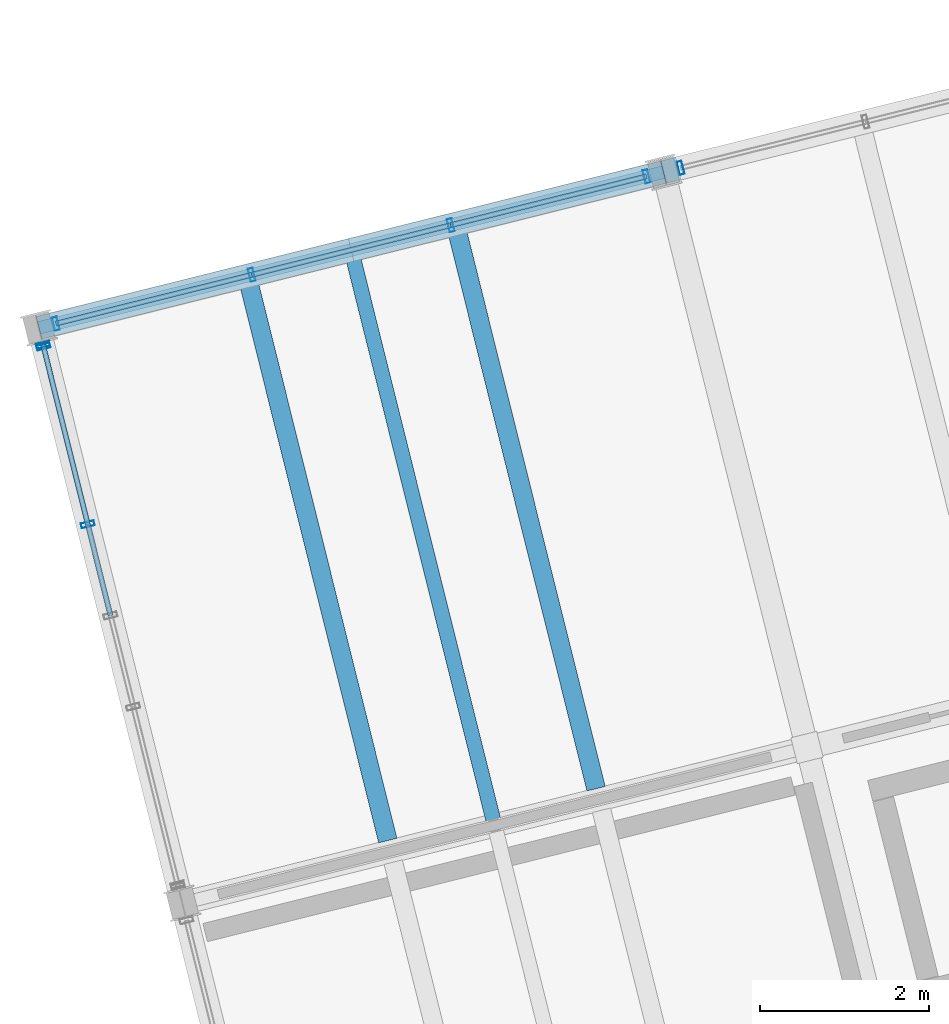
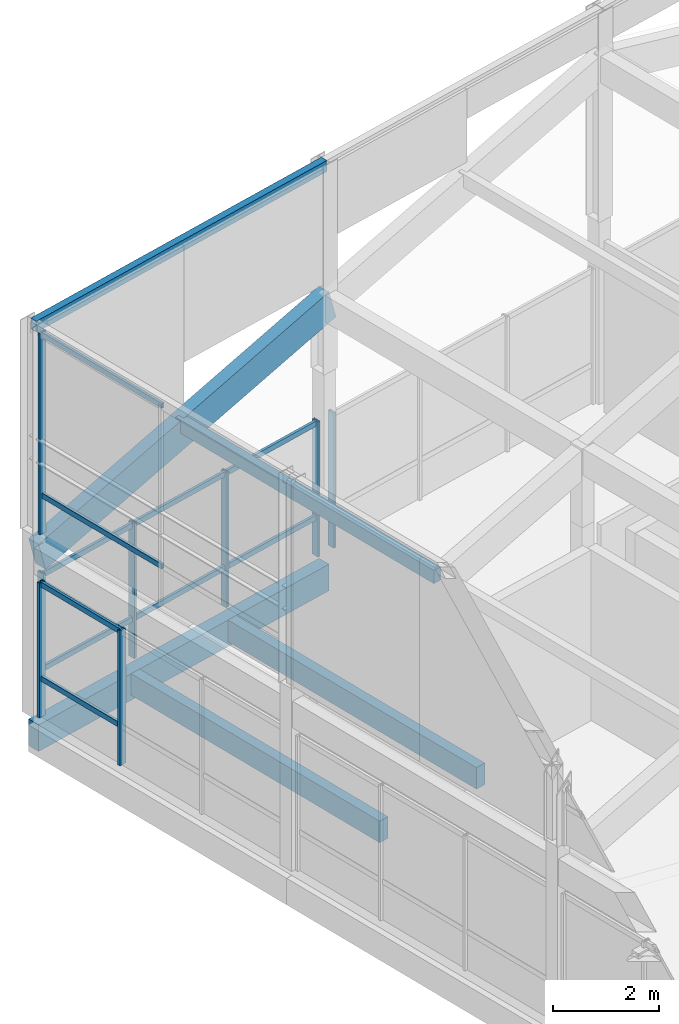
# One storey, part 15 of 31: 19 members, 5 beams, 4 elements without a shape of their own.
"""IFC4 building model written with IfcOpenShell, lengths in metres."""

from ifc_helpers import new_model, si_unit, direction, frame, origin, origin_2d, place, context, subcontext, project, spatial, rectangle, hollow_rectangle, extrude, material, layer, layer_set, material_profile, profile_set, type_object, element, aggregate, save


model = new_model("IFC4")

# Units and contexts
model_context = context("Model", 3, precision=1e-05, world=origin(), true_north=direction((0.0, 1.0)))
body_context = subcontext(model_context, "Body", "Model", "MODEL_VIEW")
ifc_project = project(units=[si_unit("LENGTHUNIT", "METRE"), si_unit("AREAUNIT", "SQUARE_METRE"), si_unit("VOLUMEUNIT", "CUBIC_METRE"), si_unit("PLANEANGLEUNIT", "RADIAN"), si_unit("MASSUNIT", "GRAM", prefix="KILO")], contexts=[model_context])

# Site, building, storey
site_placement = place(None, origin())
site = spatial("IfcSite", under=ifc_project, at=site_placement, CompositionType="ELEMENT")
building_placement = place(site_placement, origin())
building = spatial("IfcBuilding", under=site, at=building_placement, Name="Meriwether Solvik Hall", CompositionType="ELEMENT")
storey_placement = place(building_placement, frame((0.0, 0.0, 61.199951171875)))
storey = spatial("IfcBuildingStorey", under=building, at=storey_placement, Name="L15", CompositionType="ELEMENT", Elevation=61.199951171875)

# Beams
ifc_material_1 = material(Name="Glulam Douglas-Fir 24F-V8 GL28h", Category="wood")
ifc_material_profile_1 = material_profile(ifc_material_1, rectangle(XDim=0.27294921875, YDim=0.610107421875, at=origin_2d()), Name="GLB-273X610")
ifc_profile_set_1 = profile_set([ifc_material_profile_1], Name="Glulam Douglas-Fir 24F-V8 GL28h")
beam_type_1 = type_object("IfcBeamType", Name="BM-GL-273X610", PredefinedType="SPANDREL", material=ifc_profile_set_1)
beam_1_placement = place(storey_placement, frame((61.826171875, 68.3681640625, -0.550048828125), z_axis=(0.970295366785, 0.241923337436, 0.0), x_axis=(-0.241923337436, 0.970295366785, 0.0)))
element("IfcBeam", 1, at=beam_1_placement, inside=storey, type_object=beam_type_1, Name="Tower Girder TE:T1-T2 (L15)", PredefinedType="SPANDREL", context=body_context, shape_type="SweptSolid", body=[
    extrude(rectangle(XDim=0.27294921875, YDim=0.610107421875, at=origin_2d()), origin(), (0.0, 0.0, 1.0), 7.60009765625),
])
ifc_material_2 = material(Name="Glulam Douglas-Fir 24F-V8 GL28h", Category="wood")
ifc_material_profile_2 = material_profile(ifc_material_2, rectangle(XDim=0.27294921875, YDim=0.68505859375, at=origin_2d()), Name="GLB-273X685")
ifc_profile_set_2 = profile_set([ifc_material_profile_2], Name="Glulam Douglas-Fir 24F-V8 GL28h")
beam_type_2 = type_object("IfcBeamType", Name="BM-GL-273X685", PredefinedType="BEAM", material=ifc_profile_set_2)
beam_2_placement = place(storey_placement, frame((61.914794921875, 68.390380859375, 3.573974609375), z_axis=(0.935075971335, 0.233142100319, 0.266978817308), x_axis=(-0.241923337436, 0.970295366785, 0.0)))
element("IfcBeam", 2, at=beam_2_placement, inside=storey, type_object=beam_type_2, Name="Sloped Roof Rafter TE:T1-T2", PredefinedType="BEAM", context=body_context, shape_type="SweptSolid", body=[
    extrude(rectangle(XDim=0.27294921875, YDim=0.68505859375, at=origin_2d()), origin(), (0.0, 0.0, 1.0), 7.88623046875),
])
ifc_material_3 = material(Name="Steel A500 Grade C", Category="steel")
ifc_material_profile_3 = material_profile(ifc_material_3, hollow_rectangle(XDim=0.152099609375, YDim=0.25390625, WallThickness=0.009521484375, at=origin_2d()), Name="HSS254X152X9.5")
ifc_profile_set_3 = profile_set([ifc_material_profile_3], Name="Steel A500 Grade C")
beam_type_3 = type_object("IfcBeamType", Name="BM-STL-HSS254", PredefinedType="SPANDREL", material=ifc_profile_set_3)
beam_3_placement = place(storey_placement, frame((69.200439453125, 70.206787109375, 8.873046875), z_axis=(-0.970295366785, -0.241923337436, 0.0), x_axis=(0.241923337436, -0.970295366785, 0.0)))
element("IfcBeam", 3, at=beam_3_placement, inside=storey, type_object=beam_type_3, Name="Crown Cap Ring Beam T2TE-T1TE", PredefinedType="SPANDREL", context=body_context, shape_type="SweptSolid", body=[
    extrude(hollow_rectangle(XDim=0.152099609375, YDim=0.25390625, WallThickness=0.009521484375, at=origin_2d()), origin(), (0.0, 0.0, 1.0), 7.60009765625),
])

# Curtain wall, members
ifc_material_4 = material(Name="Thermally Broken Anodised Aluminium 6063-T6 and Low-E Glass", Category="aluminium")
ifc_layer_1 = layer(ifc_material_4, 0.179931640625)
ifc_layer_set_1 = layer_set([ifc_layer_1], Name="Thermally Broken Anodised Aluminium 6063-T6 and Low-E Glass")
curtain_wall_type_1 = type_object("IfcCurtainWallType", Name="CW-UNIT-A", PredefinedType="USERDEFINED", material=ifc_layer_set_1)
curtain_wall_1_placement = place(storey_placement, origin())
curtain_wall_1 = element("IfcCurtainWall", 4, at=curtain_wall_1_placement, inside=storey, type_object=curtain_wall_type_1, Name="Curtain Wall E2_B0 (L15)", ObjectType="UNITISED CURTAIN WALL", PredefinedType="USERDEFINED")
ifc_material_5 = material(Name="Anodised Aluminium 6063-T6", Category="aluminium")
ifc_material_profile_4 = material_profile(ifc_material_5, hollow_rectangle(XDim=0.06005859375, YDim=0.159912109375, WallThickness=0.00390625, at=origin_2d()), Name="CWM-60X160")
ifc_profile_set_4 = profile_set([ifc_material_profile_4], Name="Anodised Aluminium 6063-T6")
member_type_1 = type_object("IfcMemberType", Name="CW-MUL-60X160", PredefinedType="MULLION", material=ifc_profile_set_4)
member_1_placement = place(storey_placement, frame((62.027587890625, 68.41845703125, 0.0), z_axis=(0.0, 0.0, 1.0), x_axis=(0.970295720361, 0.241921919325, 0.0)))
member_1 = element("IfcMember", 5, at=member_1_placement, type_object=member_type_1, Name="Curtain Wall Mullion 1", PredefinedType="MULLION", context=body_context, shape_type="SweptSolid", body=[
    extrude(hollow_rectangle(XDim=0.06005859375, YDim=0.159912109375, WallThickness=0.00390625, at=origin_2d()), origin(), (0.0, 0.0, 1.0), 3.10205078125),
])
member_2_placement = place(storey_placement, frame((64.339111328125, 68.994873046875, 0.0), z_axis=(0.0, 0.0, 1.0), x_axis=(0.970295720361, 0.241921919325, 0.0)))
member_2 = element("IfcMember", 6, at=member_2_placement, type_object=member_type_1, Name="Curtain Wall Mullion 2", PredefinedType="MULLION", context=body_context, shape_type="SweptSolid", body=[
    extrude(hollow_rectangle(XDim=0.06005859375, YDim=0.159912109375, WallThickness=0.00390625, at=origin_2d()), origin(), (0.0, 0.0, 1.0), 3.10205078125),
])
member_3_placement = place(storey_placement, frame((66.6875, 69.580322265625, 0.0), z_axis=(0.0, 0.0, 1.0), x_axis=(0.970295720361, 0.241921919325, 0.0)))
member_3 = element("IfcMember", 7, at=member_3_placement, type_object=member_type_1, Name="Curtain Wall Mullion 3", PredefinedType="MULLION", context=body_context, shape_type="SweptSolid", body=[
    extrude(hollow_rectangle(XDim=0.06005859375, YDim=0.159912109375, WallThickness=0.00390625, at=origin_2d()), origin(), (0.0, 0.0, 1.0), 3.10205078125),
])
member_4_placement = place(storey_placement, frame((68.9990234375, 70.15673828125, 0.0), z_axis=(0.0, 0.0, 1.0), x_axis=(0.970295720361, 0.241921919325, 0.0)))
member_4 = element("IfcMember", 8, at=member_4_placement, type_object=member_type_1, Name="Curtain Wall Mullion 4", PredefinedType="MULLION", context=body_context, shape_type="SweptSolid", body=[
    extrude(hollow_rectangle(XDim=0.06005859375, YDim=0.159912109375, WallThickness=0.00390625, at=origin_2d()), origin(), (0.0, 0.0, 1.0), 3.10205078125),
])

# Curtain wall, member
ifc_material_6 = material(Name="Thermally Broken Anodised Aluminium 6063-T6 and Low-E Glass", Category="aluminium")
ifc_layer_2 = layer(ifc_material_6, 0.179931640625)
ifc_layer_set_2 = layer_set([ifc_layer_2], Name="Thermally Broken Anodised Aluminium 6063-T6 and Low-E Glass")
curtain_wall_type_2 = type_object("IfcCurtainWallType", Name="CW-UNIT-B", PredefinedType="USERDEFINED", material=ifc_layer_set_2)
curtain_wall_2_placement = place(storey_placement, origin())
curtain_wall_2 = element("IfcCurtainWall", 9, at=curtain_wall_2_placement, inside=storey, type_object=curtain_wall_type_2, Name="Curtain Wall E2_B1 (L15)", ObjectType="UNITISED CURTAIN WALL", PredefinedType="USERDEFINED")
member_5_placement = place(storey_placement, frame((69.40185546875, 70.257080078125, 0.0), z_axis=(0.0, 0.0, 1.0), x_axis=(0.970295730764, 0.241921877598, 0.0)))
member_5 = element("IfcMember", 10, at=member_5_placement, type_object=member_type_1, Name="Curtain Wall Mullion 1", PredefinedType="MULLION", context=body_context, shape_type="SweptSolid", body=[
    extrude(hollow_rectangle(XDim=0.06005859375, YDim=0.159912109375, WallThickness=0.00390625, at=origin_2d()), origin(), (0.0, 0.0, 1.0), 3.10205078125),
])
aggregate(curtain_wall_2, [member_5])

# Curtain wall, members
ifc_material_7 = material(Name="Thermally Broken Anodised Aluminium 6063-T6 and Low-E Glass", Category="aluminium")
ifc_layer_3 = layer(ifc_material_7, 0.179931640625)
ifc_layer_set_3 = layer_set([ifc_layer_3], Name="Thermally Broken Anodised Aluminium 6063-T6 and Low-E Glass")
curtain_wall_type_3 = type_object("IfcCurtainWallType", Name="CW-UNIT-E", PredefinedType="USERDEFINED", material=ifc_layer_set_3)
curtain_wall_3_placement = place(storey_placement, origin())
curtain_wall_3 = element("IfcCurtainWall", 11, at=curtain_wall_3_placement, inside=storey, type_object=curtain_wall_type_3, Name="Curtain Wall E3_B3 (L15)", ObjectType="UNITISED CURTAIN WALL", PredefinedType="USERDEFINED")
member_6_placement = place(storey_placement, frame((62.404296875, 66.049560546875, 0.0), z_axis=(0.0, 0.0, 1.0), x_axis=(-0.241921784185, 0.970295754055, 0.0)))
member_6 = element("IfcMember", 12, at=member_6_placement, type_object=member_type_1, Name="Curtain Wall Mullion 3", PredefinedType="MULLION", context=body_context, shape_type="SweptSolid", body=[
    extrude(hollow_rectangle(XDim=0.06005859375, YDim=0.159912109375, WallThickness=0.00390625, at=origin_2d()), origin(), (0.0, 0.0, 1.0), 3.10205078125),
])
member_7_placement = place(storey_placement, frame((61.87646484375, 68.1669921875, 0.0), z_axis=(0.0, 0.0, 1.0), x_axis=(-0.241921784185, 0.970295754055, 0.0)))
member_7 = element("IfcMember", 13, at=member_7_placement, type_object=member_type_1, Name="Curtain Wall Mullion 4", PredefinedType="MULLION", context=body_context, shape_type="SweptSolid", body=[
    extrude(hollow_rectangle(XDim=0.06005859375, YDim=0.159912109375, WallThickness=0.00390625, at=origin_2d()), origin(), (0.0, 0.0, 1.0), 3.10205078125),
])

# Curtain wall, member
ifc_material_8 = material(Name="Thermally Broken Anodised Aluminium 6063-T6 and Low-E Glass", Category="aluminium")
ifc_layer_4 = layer(ifc_material_8, 0.179931640625)
ifc_layer_set_4 = layer_set([ifc_layer_4], Name="Thermally Broken Anodised Aluminium 6063-T6 and Low-E Glass")
curtain_wall_type_4 = type_object("IfcCurtainWallType", Name="CW-CROWN-GL", PredefinedType="USERDEFINED", material=ifc_layer_set_4)
curtain_wall_4_placement = place(storey_placement, origin())
curtain_wall_4 = element("IfcCurtainWall", 14, at=curtain_wall_4_placement, inside=storey, type_object=curtain_wall_type_4, Name="Curtain Wall crown_W_1 (L15)", ObjectType="UNITISED CURTAIN WALL", PredefinedType="USERDEFINED")
member_8_placement = place(storey_placement, frame((61.88134765625, 68.14697265625, 4.219970703125), z_axis=(0.0, 0.0, 1.0), x_axis=(0.241921749537, -0.970295762694, 0.0)))
member_8 = element("IfcMember", 15, at=member_8_placement, type_object=member_type_1, Name="Curtain Wall Mullion 1", PredefinedType="MULLION", context=body_context, shape_type="SweptSolid", body=[
    extrude(hollow_rectangle(XDim=0.06005859375, YDim=0.159912109375, WallThickness=0.00390625, at=origin_2d()), origin(), (0.0, 0.0, 1.0), 4.630126953125),
])

# Member
ifc_material_9 = material(Name="Anodised Aluminium 6063-T6", Category="aluminium")
ifc_material_profile_5 = material_profile(ifc_material_9, hollow_rectangle(XDim=0.06005859375, YDim=0.1201171875, WallThickness=0.00390625, at=origin_2d()), Name="CWT-60X120")
ifc_profile_set_5 = profile_set([ifc_material_profile_5], Name="Anodised Aluminium 6063-T6")
member_type_2 = type_object("IfcMemberType", Name="CW-TRN-60X120", PredefinedType="USERDEFINED", material=ifc_profile_set_5)
member_9_placement = place(storey_placement, frame((62.027587890625, 68.41845703125, 0.880126953125), z_axis=(0.970287006133, 0.241956867499, 0.0), x_axis=(-0.241956867499, 0.970287006133, 0.0)))
member_9 = element("IfcMember", 16, at=member_9_placement, type_object=member_type_2, Name="Curtain Wall Transom 1-sill", ObjectType="TRANSOM", PredefinedType="USERDEFINED", context=body_context, shape_type="SweptSolid", body=[
    extrude(hollow_rectangle(XDim=0.06005859375, YDim=0.1201171875, WallThickness=0.00390625, at=origin_2d()), origin(), (0.0, 0.0, 1.0), 2.38232421875),
])

member_10_placement = place(storey_placement, frame((62.027587890625, 68.41845703125, 3.0419921875), z_axis=(0.970287006133, 0.241956867499, 0.0), x_axis=(-0.241956867499, 0.970287006133, 0.0)))
member_10 = element("IfcMember", 17, at=member_10_placement, type_object=member_type_2, Name="Curtain Wall Transom 1-head", ObjectType="TRANSOM", PredefinedType="USERDEFINED", context=body_context, shape_type="SweptSolid", body=[
    extrude(hollow_rectangle(XDim=0.06005859375, YDim=0.1201171875, WallThickness=0.00390625, at=origin_2d()), origin(), (0.0, 0.0, 1.0), 2.38232421875),
])

member_11_placement = place(storey_placement, frame((64.339111328125, 68.994873046875, 0.880126953125), z_axis=(0.970302499388, 0.24189472851, 0.0), x_axis=(-0.24189472851, 0.970302499388, 0.0)))
member_11 = element("IfcMember", 18, at=member_11_placement, type_object=member_type_2, Name="Curtain Wall Transom 2-sill", ObjectType="TRANSOM", PredefinedType="USERDEFINED", context=body_context, shape_type="SweptSolid", body=[
    extrude(hollow_rectangle(XDim=0.06005859375, YDim=0.1201171875, WallThickness=0.00390625, at=origin_2d()), origin(), (0.0, 0.0, 1.0), 2.420166015625),
])

member_12_placement = place(storey_placement, frame((64.339111328125, 68.994873046875, 3.0419921875), z_axis=(0.970302499388, 0.24189472851, 0.0), x_axis=(-0.24189472851, 0.970302499388, 0.0)))
member_12 = element("IfcMember", 19, at=member_12_placement, type_object=member_type_2, Name="Curtain Wall Transom 2-head", ObjectType="TRANSOM", PredefinedType="USERDEFINED", context=body_context, shape_type="SweptSolid", body=[
    extrude(hollow_rectangle(XDim=0.06005859375, YDim=0.1201171875, WallThickness=0.00390625, at=origin_2d()), origin(), (0.0, 0.0, 1.0), 2.420166015625),
])

member_13_placement = place(storey_placement, frame((66.6875, 69.580322265625, 0.880126953125), z_axis=(0.970287006133, 0.241956867499, 0.0), x_axis=(-0.241956867499, 0.970287006133, 0.0)))
member_13 = element("IfcMember", 20, at=member_13_placement, type_object=member_type_2, Name="Curtain Wall Transom 3-sill", ObjectType="TRANSOM", PredefinedType="USERDEFINED", context=body_context, shape_type="SweptSolid", body=[
    extrude(hollow_rectangle(XDim=0.06005859375, YDim=0.1201171875, WallThickness=0.00390625, at=origin_2d()), origin(), (0.0, 0.0, 1.0), 2.38232421875),
])

member_14_placement = place(storey_placement, frame((66.6875, 69.580322265625, 3.0419921875), z_axis=(0.970287006133, 0.241956867499, 0.0), x_axis=(-0.241956867499, 0.970287006133, 0.0)))
member_14 = element("IfcMember", 21, at=member_14_placement, type_object=member_type_2, Name="Curtain Wall Transom 3-head", ObjectType="TRANSOM", PredefinedType="USERDEFINED", context=body_context, shape_type="SweptSolid", body=[
    extrude(hollow_rectangle(XDim=0.06005859375, YDim=0.1201171875, WallThickness=0.00390625, at=origin_2d()), origin(), (0.0, 0.0, 1.0), 2.38232421875),
])

aggregate(curtain_wall_1, [member_1, member_2, member_3, member_4, member_9, member_10, member_11, member_12, member_13, member_14])

member_15_placement = place(storey_placement, frame((62.404296875, 66.049560546875, 0.880126953125), z_axis=(-0.241877470874, 0.970306801524, 0.0), x_axis=(-0.970306801524, -0.241877470874, 0.0)))
member_15 = element("IfcMember", 22, at=member_15_placement, type_object=member_type_2, Name="Curtain Wall Transom 3-sill", ObjectType="TRANSOM", PredefinedType="USERDEFINED", context=body_context, shape_type="SweptSolid", body=[
    extrude(hollow_rectangle(XDim=0.06005859375, YDim=0.1201171875, WallThickness=0.00390625, at=origin_2d()), origin(), (0.0, 0.0, 1.0), 2.18212890625),
])

member_16_placement = place(storey_placement, frame((62.404296875, 66.049560546875, 3.0419921875), z_axis=(-0.241877470874, 0.970306801524, 0.0), x_axis=(-0.970306801524, -0.241877470874, 0.0)))
member_16 = element("IfcMember", 23, at=member_16_placement, type_object=member_type_2, Name="Curtain Wall Transom 3-head", ObjectType="TRANSOM", PredefinedType="USERDEFINED", context=body_context, shape_type="SweptSolid", body=[
    extrude(hollow_rectangle(XDim=0.06005859375, YDim=0.1201171875, WallThickness=0.00390625, at=origin_2d()), origin(), (0.0, 0.0, 1.0), 2.18212890625),
])

aggregate(curtain_wall_3, [member_6, member_7, member_15, member_16])

member_17_placement = place(storey_placement, frame((61.88134765625, 68.14697265625, 5.10009765625), z_axis=(0.241903536167, -0.970300303612, 0.0), x_axis=(0.970300303612, 0.241903536167, 0.0)))
member_17 = element("IfcMember", 24, at=member_17_placement, type_object=member_type_2, Name="Curtain Wall Transom 1-sill", ObjectType="TRANSOM", PredefinedType="USERDEFINED", context=body_context, shape_type="SweptSolid", body=[
    extrude(hollow_rectangle(XDim=0.06005859375, YDim=0.1201171875, WallThickness=0.00390625, at=origin_2d()), origin(), (0.0, 0.0, 1.0), 3.27197265625),
])

member_18_placement = place(storey_placement, frame((61.88134765625, 68.14697265625, 8.7900390625), z_axis=(0.241903536167, -0.970300303612, 0.0), x_axis=(0.970300303612, 0.241903536167, 0.0)))
member_18 = element("IfcMember", 25, at=member_18_placement, type_object=member_type_2, Name="Curtain Wall Transom 1-head", ObjectType="TRANSOM", PredefinedType="USERDEFINED", context=body_context, shape_type="SweptSolid", body=[
    extrude(hollow_rectangle(XDim=0.06005859375, YDim=0.1201171875, WallThickness=0.00390625, at=origin_2d()), origin(), (0.0, 0.0, 1.0), 3.27197265625),
])

aggregate(curtain_wall_4, [member_8, member_17, member_18])

# Beams
ifc_material_10 = material(Name="Glulam Douglas-Fir 24F-V8 GL28h", Category="wood")
ifc_material_profile_6 = material_profile(ifc_material_10, rectangle(XDim=0.221923828125, YDim=0.4951171875, at=origin_2d()), Name="GLJ-222X495")
ifc_profile_set_6 = profile_set([ifc_material_profile_6], Name="Glulam Douglas-Fir 24F-V8 GL28h")
beam_type_4 = type_object("IfcBeamType", Name="JST-GL-222X495", PredefinedType="JOIST", material=ifc_profile_set_6)
beam_4_placement = place(storey_placement, frame((65.94580078125, 62.316650390625, -0.492431640625), z_axis=(-0.241896058636, 0.970302167789, 0.0), x_axis=(-0.970302167789, -0.241896058636, 0.0)))
element("IfcBeam", 26, at=beam_4_placement, inside=storey, type_object=beam_type_4, Name="Glulam Floor Joist T1/TD-J1 (L15)", PredefinedType="JOIST", context=body_context, shape_type="SweptSolid", body=[
    extrude(rectangle(XDim=0.221923828125, YDim=0.4951171875, at=origin_2d()), origin(), (0.0, 0.0, 1.0), 6.73681640625),
])
beam_5_placement = place(storey_placement, frame((68.404052734375, 62.929443359375, -0.492431640625), z_axis=(-0.241921670289, 0.970295782452, 0.0), x_axis=(-0.970295782452, -0.241921670289, 0.0)))
element("IfcBeam", 27, at=beam_5_placement, inside=storey, type_object=beam_type_4, Name="Glulam Floor Joist T1/TD-J2 (L15)", PredefinedType="JOIST", context=body_context, shape_type="SweptSolid", body=[
    extrude(rectangle(XDim=0.221923828125, YDim=0.4951171875, at=origin_2d()), origin(), (0.0, 0.0, 1.0), 6.7373046875),
])

# Member
ifc_material_11 = material(Name="Glulam Douglas-Fir 24F-V8 GL28h", Category="wood")
ifc_material_profile_7 = material_profile(ifc_material_11, rectangle(XDim=0.175048828125, YDim=0.304931640625, at=origin_2d()), Name="GLM-175X305")
ifc_profile_set_7 = profile_set([ifc_material_profile_7], Name="Glulam Douglas-Fir 24F-V8 GL28h")
member_type_3 = type_object("IfcMemberType", Name="MEM-PRL-GL175", PredefinedType="PURLIN", material=ifc_profile_set_7)
member_19_placement = place(storey_placement, frame((67.206787109375, 62.49560546875, 4.80419921875), z_axis=(-0.241911879182, 0.970298223594, 0.0), x_axis=(-0.970298223594, -0.241911879182, 0.0)))
element("IfcMember", 28, at=member_19_placement, inside=storey, type_object=member_type_3, Name="Tower Roof Glulam Purlin 1.4", PredefinedType="PURLIN", context=body_context, shape_type="SweptSolid", body=[
    extrude(rectangle(XDim=0.175048828125, YDim=0.304931640625, at=origin_2d()), origin(), (0.0, 0.0, 1.0), 7.0),
])

save(model, "model.ifc")
